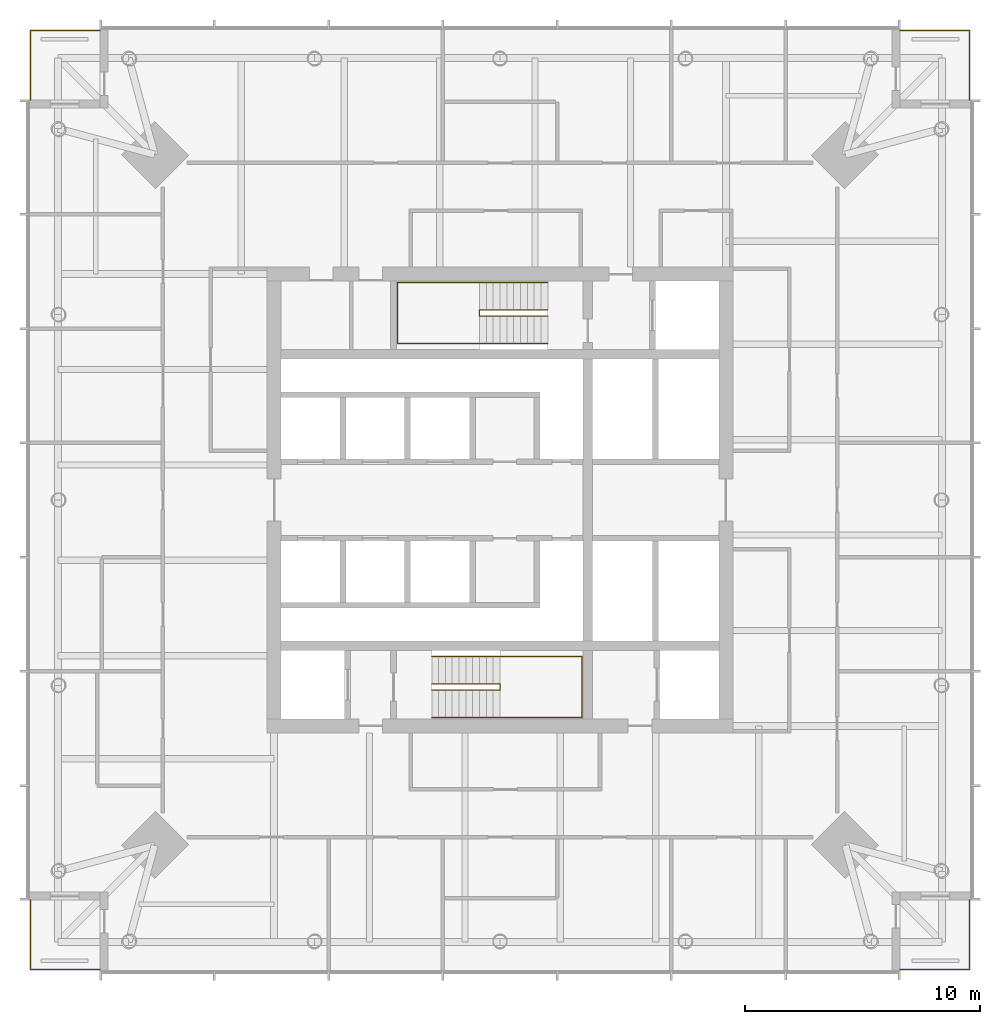
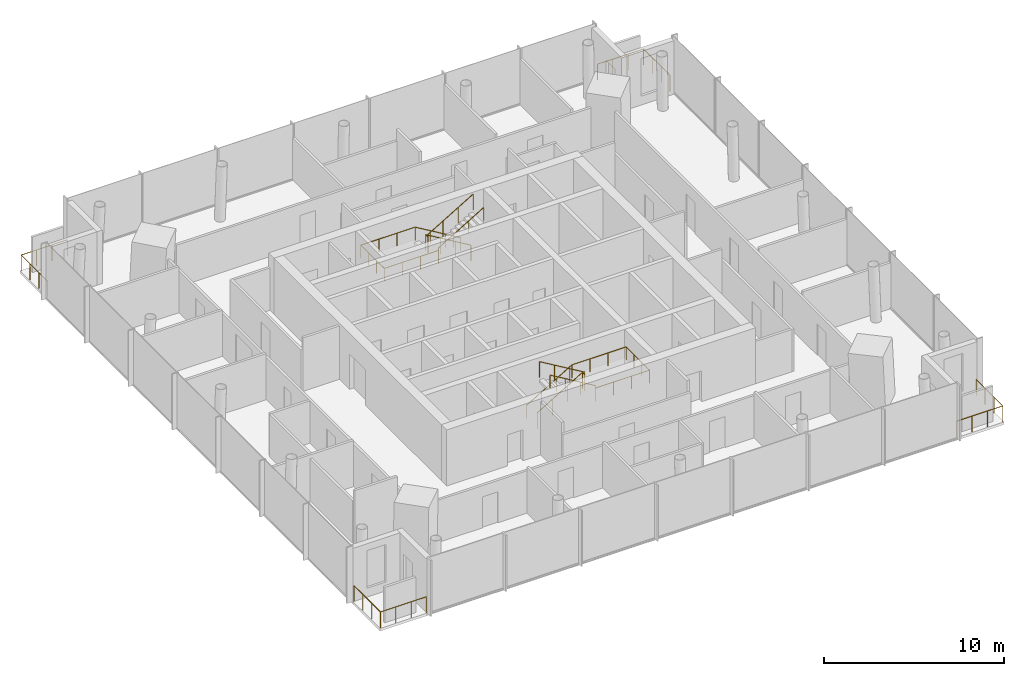
# One storey, part 7 of 7: 8 railings.
"""IFC4 building model written with IfcOpenShell, lengths in metres."""

from ifc_helpers import new_model, si_unit, direction, frame, origin, origin_2d, place, context, subcontext, project, spatial, circle, extrude, material, type_object, element, save


model = new_model("IFC4")

# Units and contexts
model_context = context("Model", 3, precision=1e-05, world=origin(), true_north=direction((0.0, 1.0)))
body_context = subcontext(model_context, "Body", "Model", "MODEL_VIEW")
ifc_project = project(units=[si_unit("LENGTHUNIT", "METRE"), si_unit("AREAUNIT", "SQUARE_METRE"), si_unit("VOLUMEUNIT", "CUBIC_METRE"), si_unit("PLANEANGLEUNIT", "RADIAN"), si_unit("MASSUNIT", "GRAM", prefix="KILO")], contexts=[model_context])

# Site, building, storey
site_placement = place(None, origin())
site = spatial("IfcSite", under=ifc_project, at=site_placement, CompositionType="ELEMENT")
building_placement = place(site_placement, origin())
building = spatial("IfcBuilding", under=site, at=building_placement, Name="Ostroluk Exchange", CompositionType="ELEMENT")
storey_placement = place(building_placement, frame((0.0, 0.0, 184.39990234375)))
storey = spatial("IfcBuildingStorey", under=building, at=storey_placement, Name="L47", CompositionType="ELEMENT", Elevation=184.39990234375)

# Railings
ifc_material_1 = material(Name="Stainless steel", Category="steel")
railing_type_1 = type_object("IfcRailingType", Name="Guard 1100 stainless steel", PredefinedType="GUARDRAIL", material=ifc_material_1)
railing_1_placement = place(storey_placement, frame((62.0, 26.050048828125, 0.0)))
element("IfcRailing", 1, at=railing_1_placement, inside=storey, type_object=railing_type_1, Name="Office tower SE balcony guard L47", PredefinedType="GUARDRAIL", context=body_context, shape_type="SweptSolid", body=[
    extrude(circle(Radius=0.02392578125, at=origin_2d()), frame((0.0, 0.0, 1.076171875), z_axis=(1.0, 0.0, 0.0), x_axis=(0.0, 1.0, 0.0)), (0.0, 0.0, 1.0), 2.949951171875),
    extrude(circle(Radius=0.02392578125, at=origin_2d()), frame((2.949951171875, 0.0, 1.076171875), z_axis=(0.0, 1.0, 0.0), x_axis=(-1.0, 0.0, 0.0)), (0.0, 0.0, 1.0), 2.949951171875),
    extrude(circle(Radius=0.02099609375, at=origin_2d()), origin(), (0.0, 0.0, 1.0), 1.052001953125),
    extrude(circle(Radius=0.02099609375, at=origin_2d()), frame((0.9833984375, 0.0, 0.0)), (0.0, 0.0, 1.0), 1.052001953125),
    extrude(circle(Radius=0.02099609375, at=origin_2d()), frame((1.966552734375, 0.0, 0.0)), (0.0, 0.0, 1.0), 1.052001953125),
    extrude(circle(Radius=0.02099609375, at=origin_2d()), frame((2.949951171875, 0.0, 0.0)), (0.0, 0.0, 1.0), 1.052001953125),
    extrude(circle(Radius=0.02099609375, at=origin_2d()), frame((2.949951171875, 0.9833984375, 0.0)), (0.0, 0.0, 1.0), 1.052001953125),
    extrude(circle(Radius=0.02099609375, at=origin_2d()), frame((2.949951171875, 1.966552734375, 0.0)), (0.0, 0.0, 1.0), 1.052001953125),
    extrude(circle(Radius=0.02099609375, at=origin_2d()), frame((2.949951171875, 2.949951171875, 0.0)), (0.0, 0.0, 1.0), 1.052001953125),
])
railing_2_placement = place(storey_placement, frame((62.0, 65.949951171875, 0.0)))
element("IfcRailing", 2, at=railing_2_placement, inside=storey, type_object=railing_type_1, Name="Office tower NE balcony guard L47", PredefinedType="GUARDRAIL", context=body_context, shape_type="SweptSolid", body=[
    extrude(circle(Radius=0.02392578125, at=origin_2d()), frame((0.0, 0.0, 1.076171875), z_axis=(1.0, 0.0, 0.0), x_axis=(0.0, 1.0, 0.0)), (0.0, 0.0, 1.0), 2.949951171875),
    extrude(circle(Radius=0.02392578125, at=origin_2d()), frame((2.949951171875, 0.0, 1.076171875), z_axis=(0.0, -1.0, 0.0), x_axis=(1.0, 0.0, 0.0)), (0.0, 0.0, 1.0), 2.949951171875),
    extrude(circle(Radius=0.02099609375, at=origin_2d()), origin(), (0.0, 0.0, 1.0), 1.052001953125),
    extrude(circle(Radius=0.02099609375, at=origin_2d()), frame((0.9833984375, 0.0, 0.0)), (0.0, 0.0, 1.0), 1.052001953125),
    extrude(circle(Radius=0.02099609375, at=origin_2d()), frame((1.966552734375, 0.0, 0.0)), (0.0, 0.0, 1.0), 1.052001953125),
    extrude(circle(Radius=0.02099609375, at=origin_2d()), frame((2.949951171875, 0.0, 0.0)), (0.0, 0.0, 1.0), 1.052001953125),
    extrude(circle(Radius=0.02099609375, at=origin_2d()), frame((2.949951171875, -0.9833984375, 0.0)), (0.0, 0.0, 1.0), 1.052001953125),
    extrude(circle(Radius=0.02099609375, at=origin_2d()), frame((2.949951171875, -1.966552734375, 0.0)), (0.0, 0.0, 1.0), 1.052001953125),
    extrude(circle(Radius=0.02099609375, at=origin_2d()), frame((2.949951171875, -2.949951171875, 0.0)), (0.0, 0.0, 1.0), 1.052001953125),
])
railing_3_placement = place(storey_placement, frame((28.0, 65.949951171875, 0.0)))
element("IfcRailing", 3, at=railing_3_placement, inside=storey, type_object=railing_type_1, Name="Office tower NW balcony guard L47", PredefinedType="GUARDRAIL", context=body_context, shape_type="SweptSolid", body=[
    extrude(circle(Radius=0.02392578125, at=origin_2d()), frame((0.0, 0.0, 1.076171875), z_axis=(-1.0, 0.0, 0.0), x_axis=(0.0, -1.0, 0.0)), (0.0, 0.0, 1.0), 2.949951171875),
    extrude(circle(Radius=0.02392578125, at=origin_2d()), frame((-2.949951171875, 0.0, 1.076171875), z_axis=(0.0, -1.0, 0.0), x_axis=(1.0, 0.0, 0.0)), (0.0, 0.0, 1.0), 2.949951171875),
    extrude(circle(Radius=0.02099609375, at=origin_2d()), origin(), (0.0, 0.0, 1.0), 1.052001953125),
    extrude(circle(Radius=0.02099609375, at=origin_2d()), frame((-0.9833984375, 0.0, 0.0)), (0.0, 0.0, 1.0), 1.052001953125),
    extrude(circle(Radius=0.02099609375, at=origin_2d()), frame((-1.966552734375, 0.0, 0.0)), (0.0, 0.0, 1.0), 1.052001953125),
    extrude(circle(Radius=0.02099609375, at=origin_2d()), frame((-2.949951171875, 0.0, 0.0)), (0.0, 0.0, 1.0), 1.052001953125),
    extrude(circle(Radius=0.02099609375, at=origin_2d()), frame((-2.949951171875, -0.9833984375, 0.0)), (0.0, 0.0, 1.0), 1.052001953125),
    extrude(circle(Radius=0.02099609375, at=origin_2d()), frame((-2.949951171875, -1.966552734375, 0.0)), (0.0, 0.0, 1.0), 1.052001953125),
    extrude(circle(Radius=0.02099609375, at=origin_2d()), frame((-2.949951171875, -2.949951171875, 0.0)), (0.0, 0.0, 1.0), 1.052001953125),
])
railing_4_placement = place(storey_placement, frame((28.0, 26.050048828125, 0.0)))
element("IfcRailing", 4, at=railing_4_placement, inside=storey, type_object=railing_type_1, Name="Office tower SW balcony guard L47", PredefinedType="GUARDRAIL", context=body_context, shape_type="SweptSolid", body=[
    extrude(circle(Radius=0.02392578125, at=origin_2d()), frame((0.0, 0.0, 1.076171875), z_axis=(-1.0, 0.0, 0.0), x_axis=(0.0, -1.0, 0.0)), (0.0, 0.0, 1.0), 2.949951171875),
    extrude(circle(Radius=0.02392578125, at=origin_2d()), frame((-2.949951171875, 0.0, 1.076171875), z_axis=(0.0, 1.0, 0.0), x_axis=(-1.0, 0.0, 0.0)), (0.0, 0.0, 1.0), 2.949951171875),
    extrude(circle(Radius=0.02099609375, at=origin_2d()), origin(), (0.0, 0.0, 1.0), 1.052001953125),
    extrude(circle(Radius=0.02099609375, at=origin_2d()), frame((-0.9833984375, 0.0, 0.0)), (0.0, 0.0, 1.0), 1.052001953125),
    extrude(circle(Radius=0.02099609375, at=origin_2d()), frame((-1.966552734375, 0.0, 0.0)), (0.0, 0.0, 1.0), 1.052001953125),
    extrude(circle(Radius=0.02099609375, at=origin_2d()), frame((-2.949951171875, 0.0, 0.0)), (0.0, 0.0, 1.0), 1.052001953125),
    extrude(circle(Radius=0.02099609375, at=origin_2d()), frame((-2.949951171875, 0.9833984375, 0.0)), (0.0, 0.0, 1.0), 1.052001953125),
    extrude(circle(Radius=0.02099609375, at=origin_2d()), frame((-2.949951171875, 1.966552734375, 0.0)), (0.0, 0.0, 1.0), 1.052001953125),
    extrude(circle(Radius=0.02099609375, at=origin_2d()), frame((-2.949951171875, 2.949951171875, 0.0)), (0.0, 0.0, 1.0), 1.052001953125),
])
ifc_material_2 = material(Name="Steel S355", Category="steel")
railing_type_2 = type_object("IfcRailingType", Name="Stair guard 1100", PredefinedType="GUARDRAIL", material=ifc_material_2)
railing_5_placement = place(storey_placement, frame((42.10009765625, 38.179931640625, 0.1728515625)))
element("IfcRailing", 5, at=railing_5_placement, inside=storey, type_object=railing_type_2, Name="Stair T1-S1 guard L47", PredefinedType="GUARDRAIL", context=body_context, shape_type="SweptSolid", body=[
    extrude(circle(Radius=0.02392578125, at=origin_2d()), frame((0.0, 0.0, 1.076171875), z_axis=(0.859141464434, 0.0, 0.511738159696), x_axis=(0.0, 1.0, 0.0)), (0.0, 0.0, 1.0), 3.375244140625),
    extrude(circle(Radius=0.02392578125, at=origin_2d()), frame((2.89990234375, 0.0, 2.80322265625), z_axis=(0.0, -1.0, 0.0), x_axis=(1.0, 0.0, 0.0)), (0.0, 0.0, 1.0), 0.260009765625),
    extrude(circle(Radius=0.02392578125, at=origin_2d()), frame((2.89990234375, -0.260009765625, 2.80322265625), z_axis=(0.0, 0.0, 1.0), x_axis=(1.0, 0.0, 0.0)), (0.0, 0.0, 1.0), 0.172607421875),
    extrude(circle(Radius=0.02392578125, at=origin_2d()), frame((2.89990234375, -0.260009765625, 2.97607421875), z_axis=(-0.859141464434, 0.0, 0.511738159696), x_axis=(0.0, -1.0, 0.0)), (0.0, 0.0, 1.0), 3.375244140625),
    extrude(circle(Radius=0.02099609375, at=origin_2d()), origin(), (0.0, 0.0, 1.0), 1.052001953125),
    extrude(circle(Radius=0.02099609375, at=origin_2d()), frame((0.966552734375, 0.0, 0.57568359375)), (0.0, 0.0, 1.0), 1.052001953125),
    extrude(circle(Radius=0.02099609375, at=origin_2d()), frame((1.933349609375, 0.0, 1.151611328125)), (0.0, 0.0, 1.0), 1.052001953125),
    extrude(circle(Radius=0.02099609375, at=origin_2d()), frame((2.89990234375, 0.0, 1.727294921875)), (0.0, 0.0, 1.0), 1.052001953125),
    extrude(circle(Radius=0.02099609375, at=origin_2d()), frame((2.89990234375, -0.260009765625, 1.727294921875)), (0.0, 0.0, 1.0), 1.052001953125),
    extrude(circle(Radius=0.02099609375, at=origin_2d()), frame((2.89990234375, -0.260009765625, 1.89990234375)), (0.0, 0.0, 1.0), 1.052001953125),
    extrude(circle(Radius=0.02099609375, at=origin_2d()), frame((1.933349609375, -0.260009765625, 2.4755859375)), (0.0, 0.0, 1.0), 1.052001953125),
    extrude(circle(Radius=0.02099609375, at=origin_2d()), frame((0.966552734375, -0.260009765625, 3.051513671875)), (0.0, 0.0, 1.0), 1.052001953125),
    extrude(circle(Radius=0.02099609375, at=origin_2d()), frame((0.0, -0.260009765625, 3.627197265625)), (0.0, 0.0, 1.0), 1.052001953125),
])
railing_6_placement = place(storey_placement, frame((47.030029296875, 54.080078125, 0.1728515625)))
element("IfcRailing", 6, at=railing_6_placement, inside=storey, type_object=railing_type_2, Name="Stair T1-S2 guard L47", PredefinedType="GUARDRAIL", context=body_context, shape_type="SweptSolid", body=[
    extrude(circle(Radius=0.02392578125, at=origin_2d()), frame((0.0, 0.0, 1.076171875), z_axis=(-0.859160404282, 0.0, 0.51170636083), x_axis=(0.0, -1.0, 0.0)), (0.0, 0.0, 1.0), 3.37548828125),
    extrude(circle(Radius=0.02392578125, at=origin_2d()), frame((-2.900146484375, 0.0, 2.80322265625), z_axis=(0.0, -1.0, 0.0), x_axis=(1.0, 0.0, 0.0)), (0.0, 0.0, 1.0), 0.260009765625),
    extrude(circle(Radius=0.02392578125, at=origin_2d()), frame((-2.900146484375, -0.260009765625, 2.80322265625), z_axis=(0.0, 0.0, 1.0), x_axis=(1.0, 0.0, 0.0)), (0.0, 0.0, 1.0), 0.172607421875),
    extrude(circle(Radius=0.02392578125, at=origin_2d()), frame((-2.900146484375, -0.260009765625, 2.97607421875), z_axis=(0.859160404282, 0.0, 0.51170636083), x_axis=(0.0, 1.0, 0.0)), (0.0, 0.0, 1.0), 3.37548828125),
    extrude(circle(Radius=0.02099609375, at=origin_2d()), origin(), (0.0, 0.0, 1.0), 1.052001953125),
    extrude(circle(Radius=0.02099609375, at=origin_2d()), frame((-0.966796875, 0.0, 0.57568359375)), (0.0, 0.0, 1.0), 1.052001953125),
    extrude(circle(Radius=0.02099609375, at=origin_2d()), frame((-1.933349609375, 0.0, 1.151611328125)), (0.0, 0.0, 1.0), 1.052001953125),
    extrude(circle(Radius=0.02099609375, at=origin_2d()), frame((-2.900146484375, 0.0, 1.727294921875)), (0.0, 0.0, 1.0), 1.052001953125),
    extrude(circle(Radius=0.02099609375, at=origin_2d()), frame((-2.900146484375, -0.260009765625, 1.727294921875)), (0.0, 0.0, 1.0), 1.052001953125),
    extrude(circle(Radius=0.02099609375, at=origin_2d()), frame((-2.900146484375, -0.260009765625, 1.89990234375)), (0.0, 0.0, 1.0), 1.052001953125),
    extrude(circle(Radius=0.02099609375, at=origin_2d()), frame((-1.933349609375, -0.260009765625, 2.4755859375)), (0.0, 0.0, 1.0), 1.052001953125),
    extrude(circle(Radius=0.02099609375, at=origin_2d()), frame((-0.966796875, -0.260009765625, 3.051513671875)), (0.0, 0.0, 1.0), 1.052001953125),
    extrude(circle(Radius=0.02099609375, at=origin_2d()), frame((0.0, -0.260009765625, 3.627197265625)), (0.0, 0.0, 1.0), 1.052001953125),
])
ifc_material_3 = material(Name="Stainless steel", Category="steel")
railing_type_3 = type_object("IfcRailingType", Name="Stair handrail 900", PredefinedType="HANDRAIL", material=ifc_material_3)
railing_7_placement = place(storey_placement, frame((42.10009765625, 39.35009765625, 0.1728515625)))
element("IfcRailing", 7, at=railing_7_placement, inside=storey, type_object=railing_type_3, Name="Stair T1-S1 handrail L47", PredefinedType="HANDRAIL", context=body_context, shape_type="SweptSolid", body=[
    extrude(circle(Radius=0.02392578125, at=origin_2d()), frame((0.0, 0.0, 0.8759765625), z_axis=(0.859141464434, 0.0, 0.511738159696), x_axis=(0.0, 1.0, 0.0)), (0.0, 0.0, 1.0), 3.375244140625),
    extrude(circle(Radius=0.02392578125, at=origin_2d()), frame((2.89990234375, 0.0, 2.60302734375), z_axis=(1.0, 0.0, 0.0), x_axis=(0.0, 1.0, 0.0)), (0.0, 0.0, 1.0), 3.47998046875),
    extrude(circle(Radius=0.02392578125, at=origin_2d()), frame((6.3798828125, 0.0, 2.60302734375), z_axis=(0.0, -1.0, 0.0), x_axis=(1.0, 0.0, 0.0)), (0.0, 0.0, 1.0), 2.60009765625),
    extrude(circle(Radius=0.02392578125, at=origin_2d()), frame((6.3798828125, -2.60009765625, 2.60302734375), z_axis=(-1.0, 0.0, 0.0), x_axis=(0.0, -1.0, 0.0)), (0.0, 0.0, 1.0), 3.47998046875),
    extrude(circle(Radius=0.02392578125, at=origin_2d()), frame((2.89990234375, -2.60009765625, 2.60302734375), z_axis=(0.0, 0.0, 1.0), x_axis=(1.0, 0.0, 0.0)), (0.0, 0.0, 1.0), 0.172607421875),
    extrude(circle(Radius=0.02392578125, at=origin_2d()), frame((2.89990234375, -2.60009765625, 2.77587890625), z_axis=(-0.859141464434, 0.0, 0.511738159696), x_axis=(0.0, -1.0, 0.0)), (0.0, 0.0, 1.0), 3.375244140625),
    extrude(circle(Radius=0.02099609375, at=origin_2d()), origin(), (0.0, 0.0, 1.0), 0.851806640625),
    extrude(circle(Radius=0.02099609375, at=origin_2d()), frame((0.966552734375, 0.0, 0.57568359375)), (0.0, 0.0, 1.0), 0.851806640625),
    extrude(circle(Radius=0.02099609375, at=origin_2d()), frame((1.933349609375, 0.0, 1.151611328125)), (0.0, 0.0, 1.0), 0.851806640625),
    extrude(circle(Radius=0.02099609375, at=origin_2d()), frame((2.89990234375, 0.0, 1.727294921875)), (0.0, 0.0, 1.0), 0.851806640625),
    extrude(circle(Radius=0.02099609375, at=origin_2d()), frame((4.059814453125, 0.0, 1.727294921875)), (0.0, 0.0, 1.0), 0.851806640625),
    extrude(circle(Radius=0.02099609375, at=origin_2d()), frame((5.219970703125, 0.0, 1.727294921875)), (0.0, 0.0, 1.0), 0.851806640625),
    extrude(circle(Radius=0.02099609375, at=origin_2d()), frame((6.3798828125, 0.0, 1.727294921875)), (0.0, 0.0, 1.0), 0.851806640625),
    extrude(circle(Radius=0.02099609375, at=origin_2d()), frame((6.3798828125, -0.86669921875, 1.727294921875)), (0.0, 0.0, 1.0), 0.851806640625),
    extrude(circle(Radius=0.02099609375, at=origin_2d()), frame((6.3798828125, -1.7333984375, 1.727294921875)), (0.0, 0.0, 1.0), 0.851806640625),
    extrude(circle(Radius=0.02099609375, at=origin_2d()), frame((6.3798828125, -2.60009765625, 1.727294921875)), (0.0, 0.0, 1.0), 0.851806640625),
    extrude(circle(Radius=0.02099609375, at=origin_2d()), frame((5.219970703125, -2.60009765625, 1.727294921875)), (0.0, 0.0, 1.0), 0.851806640625),
    extrude(circle(Radius=0.02099609375, at=origin_2d()), frame((4.059814453125, -2.60009765625, 1.727294921875)), (0.0, 0.0, 1.0), 0.851806640625),
    extrude(circle(Radius=0.02099609375, at=origin_2d()), frame((2.89990234375, -2.60009765625, 1.727294921875)), (0.0, 0.0, 1.0), 0.851806640625),
    extrude(circle(Radius=0.02099609375, at=origin_2d()), frame((2.89990234375, -2.60009765625, 1.89990234375)), (0.0, 0.0, 1.0), 0.851806640625),
    extrude(circle(Radius=0.02099609375, at=origin_2d()), frame((1.933349609375, -2.60009765625, 2.4755859375)), (0.0, 0.0, 1.0), 0.851806640625),
    extrude(circle(Radius=0.02099609375, at=origin_2d()), frame((0.966552734375, -2.60009765625, 3.051513671875)), (0.0, 0.0, 1.0), 0.851806640625),
    extrude(circle(Radius=0.02099609375, at=origin_2d()), frame((0.0, -2.60009765625, 3.627197265625)), (0.0, 0.0, 1.0), 0.851806640625),
])
railing_8_placement = place(storey_placement, frame((47.030029296875, 55.25, 0.1728515625)))
element("IfcRailing", 8, at=railing_8_placement, inside=storey, type_object=railing_type_3, Name="Stair T1-S2 handrail L47", PredefinedType="HANDRAIL", context=body_context, shape_type="SweptSolid", body=[
    extrude(circle(Radius=0.02392578125, at=origin_2d()), frame((0.0, 0.0, 0.8759765625), z_axis=(-0.859160404282, 0.0, 0.51170636083), x_axis=(0.0, -1.0, 0.0)), (0.0, 0.0, 1.0), 3.37548828125),
    extrude(circle(Radius=0.02392578125, at=origin_2d()), frame((-2.900146484375, 0.0, 2.60302734375), z_axis=(-1.0, 0.0, 0.0), x_axis=(0.0, -1.0, 0.0)), (0.0, 0.0, 1.0), 3.47998046875),
    extrude(circle(Radius=0.02392578125, at=origin_2d()), frame((-6.380126953125, 0.0, 2.60302734375), z_axis=(0.0, -1.0, 0.0), x_axis=(1.0, 0.0, 0.0)), (0.0, 0.0, 1.0), 2.60009765625),
    extrude(circle(Radius=0.02392578125, at=origin_2d()), frame((-6.380126953125, -2.60009765625, 2.60302734375), z_axis=(1.0, 0.0, 0.0), x_axis=(0.0, 1.0, 0.0)), (0.0, 0.0, 1.0), 3.47998046875),
    extrude(circle(Radius=0.02392578125, at=origin_2d()), frame((-2.900146484375, -2.60009765625, 2.60302734375), z_axis=(0.0, 0.0, 1.0), x_axis=(1.0, 0.0, 0.0)), (0.0, 0.0, 1.0), 0.172607421875),
    extrude(circle(Radius=0.02392578125, at=origin_2d()), frame((-2.900146484375, -2.60009765625, 2.77587890625), z_axis=(0.859160404282, 0.0, 0.51170636083), x_axis=(0.0, 1.0, 0.0)), (0.0, 0.0, 1.0), 3.37548828125),
    extrude(circle(Radius=0.02099609375, at=origin_2d()), origin(), (0.0, 0.0, 1.0), 0.851806640625),
    extrude(circle(Radius=0.02099609375, at=origin_2d()), frame((-0.966796875, 0.0, 0.57568359375)), (0.0, 0.0, 1.0), 0.851806640625),
    extrude(circle(Radius=0.02099609375, at=origin_2d()), frame((-1.933349609375, 0.0, 1.151611328125)), (0.0, 0.0, 1.0), 0.851806640625),
    extrude(circle(Radius=0.02099609375, at=origin_2d()), frame((-2.900146484375, 0.0, 1.727294921875)), (0.0, 0.0, 1.0), 0.851806640625),
    extrude(circle(Radius=0.02099609375, at=origin_2d()), frame((-4.06005859375, 0.0, 1.727294921875)), (0.0, 0.0, 1.0), 0.851806640625),
    extrude(circle(Radius=0.02099609375, at=origin_2d()), frame((-5.22021484375, 0.0, 1.727294921875)), (0.0, 0.0, 1.0), 0.851806640625),
    extrude(circle(Radius=0.02099609375, at=origin_2d()), frame((-6.380126953125, 0.0, 1.727294921875)), (0.0, 0.0, 1.0), 0.851806640625),
    extrude(circle(Radius=0.02099609375, at=origin_2d()), frame((-6.380126953125, -0.86669921875, 1.727294921875)), (0.0, 0.0, 1.0), 0.851806640625),
    extrude(circle(Radius=0.02099609375, at=origin_2d()), frame((-6.380126953125, -1.7333984375, 1.727294921875)), (0.0, 0.0, 1.0), 0.851806640625),
    extrude(circle(Radius=0.02099609375, at=origin_2d()), frame((-6.380126953125, -2.60009765625, 1.727294921875)), (0.0, 0.0, 1.0), 0.851806640625),
    extrude(circle(Radius=0.02099609375, at=origin_2d()), frame((-5.22021484375, -2.60009765625, 1.727294921875)), (0.0, 0.0, 1.0), 0.851806640625),
    extrude(circle(Radius=0.02099609375, at=origin_2d()), frame((-4.06005859375, -2.60009765625, 1.727294921875)), (0.0, 0.0, 1.0), 0.851806640625),
    extrude(circle(Radius=0.02099609375, at=origin_2d()), frame((-2.900146484375, -2.60009765625, 1.727294921875)), (0.0, 0.0, 1.0), 0.851806640625),
    extrude(circle(Radius=0.02099609375, at=origin_2d()), frame((-2.900146484375, -2.60009765625, 1.89990234375)), (0.0, 0.0, 1.0), 0.851806640625),
    extrude(circle(Radius=0.02099609375, at=origin_2d()), frame((-1.933349609375, -2.60009765625, 2.4755859375)), (0.0, 0.0, 1.0), 0.851806640625),
    extrude(circle(Radius=0.02099609375, at=origin_2d()), frame((-0.966796875, -2.60009765625, 3.051513671875)), (0.0, 0.0, 1.0), 0.851806640625),
    extrude(circle(Radius=0.02099609375, at=origin_2d()), frame((0.0, -2.60009765625, 3.627197265625)), (0.0, 0.0, 1.0), 0.851806640625),
])

save(model, "model.ifc")
